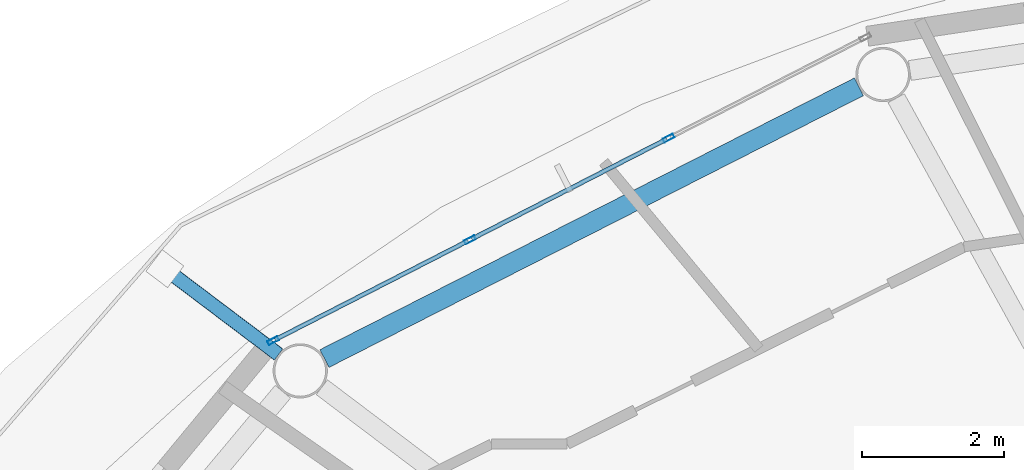
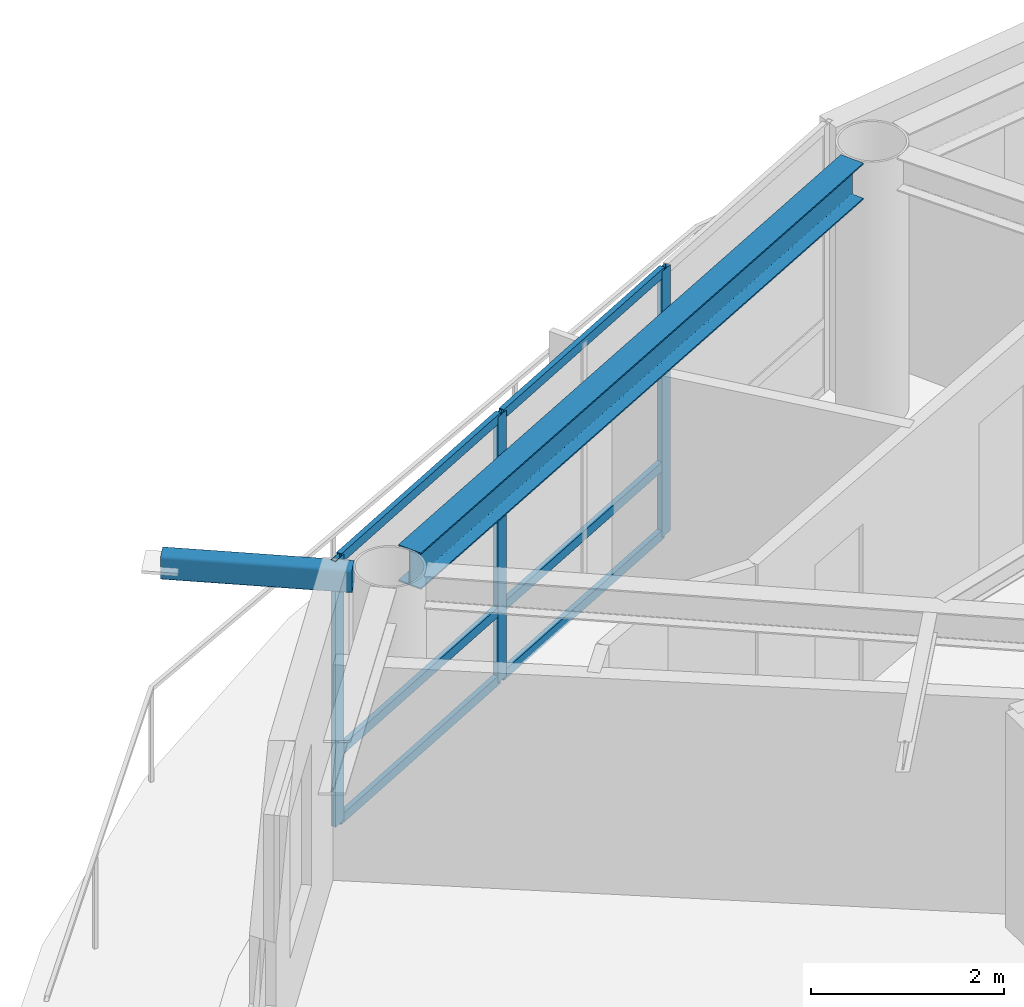
# One storey, part 8 of 23: 10 members, 1 beam, 1 element without a shape of its own.
"""IFC4 building model written with IfcOpenShell, lengths in metres."""

from ifc_helpers import new_model, si_unit, direction, frame, origin, origin_2d, place, context, subcontext, project, spatial, hollow_rectangle, i_section, extrude, material, layer, layer_set, material_profile, profile_set, type_object, element, aggregate, save


model = new_model("IFC4")

# Units and contexts
model_context = context("Model", 3, precision=1e-05, world=origin(), true_north=direction((0.0, 1.0)))
body_context = subcontext(model_context, "Body", "Model", "MODEL_VIEW")
ifc_project = project(units=[si_unit("LENGTHUNIT", "METRE"), si_unit("AREAUNIT", "SQUARE_METRE"), si_unit("VOLUMEUNIT", "CUBIC_METRE"), si_unit("PLANEANGLEUNIT", "RADIAN"), si_unit("MASSUNIT", "GRAM", prefix="KILO")], contexts=[model_context])

# Site, building, storey
site_placement = place(None, origin())
site = spatial("IfcSite", under=ifc_project, at=site_placement, CompositionType="ELEMENT")
building_placement = place(site_placement, origin())
building = spatial("IfcBuilding", under=site, at=building_placement, Name="Sarneth Arch Tower", CompositionType="ELEMENT")
storey_placement = place(building_placement, frame((0.0, 0.0, 273.0)))
storey = spatial("IfcBuildingStorey", under=building, at=storey_placement, Name="L70", CompositionType="ELEMENT", Elevation=273.0)

# Beam
ifc_material_1 = material(Name="Steel S355", Category="steel")
ifc_material_profile_1 = material_profile(ifc_material_1, i_section(OverallWidth=0.280029296875, OverallDepth=0.462890625, WebThickness=0.0107421875, FlangeThickness=0.017333984375, FilletRadius=0.01806640625, at=origin_2d()), Name="W460x113")
ifc_profile_set_1 = profile_set([ifc_material_profile_1], Name="Steel S355")
beam_type = type_object("IfcBeamType", Name="BM-RAD-460A", PredefinedType="BEAM", material=ifc_profile_set_1)
beam_placement = place(storey_placement, frame((37.86962890625, 59.565673828125, 3.138427734375), z_axis=(-0.891373613492, -0.453269325204, 0.0), x_axis=(0.453269325204, -0.891373613492, 0.0)))
element("IfcBeam", 1, at=beam_placement, inside=storey, type_object=beam_type, Name="L70 Perimeter spandrel beam 06", PredefinedType="BEAM", context=body_context, shape_type="SweptSolid", body=[
    extrude(i_section(OverallWidth=0.280029296875, OverallDepth=0.462890625, WebThickness=0.0107421875, FlangeThickness=0.017333984375, FilletRadius=0.01806640625, at=origin_2d()), origin(), (0.0, 0.0, 1.0), 8.419677734375),
])

# Curtain wall, members
ifc_material_2 = material(Name="Anodised aluminium Type AA25 and solar-control low-e laminated IGU", Category="aluminium")
ifc_layer = layer(ifc_material_2, 0.179931640625)
ifc_layer_set = layer_set([ifc_layer], Name="Anodised aluminium Type AA25 and solar-control low-e laminated IGU")
curtain_wall_type = type_object("IfcCurtainWallType", Name="CW-RES-HIGH", PredefinedType="NOTDEFINED", material=ifc_layer_set)
curtain_wall_placement = place(storey_placement, origin())
curtain_wall = element("IfcCurtainWall", 2, at=curtain_wall_placement, inside=storey, type_object=curtain_wall_type, Name="L70 Unitised curtain wall facet 06", PredefinedType="NOTDEFINED")
ifc_material_3 = material(Name="Anodised Aluminium 6063-T6", Category="aluminium")
ifc_material_profile_2 = material_profile(ifc_material_3, hollow_rectangle(XDim=0.06005859375, YDim=0.159912109375, WallThickness=0.00390625, at=origin_2d()), Name="AL-MULL-160x60x4")
ifc_profile_set_2 = profile_set([ifc_material_profile_2], Name="Anodised Aluminium 6063-T6")
member_type_1 = type_object("IfcMemberType", Name="CW-MULLION", PredefinedType="MULLION", material=ifc_profile_set_2)
member_1_placement = place(storey_placement, frame((35.197509765625, 58.844970703125, 0.0), z_axis=(0.0, 0.0, 1.0), x_axis=(0.455941901753, -0.890009540525, 0.0)))
member_1 = element("IfcMember", 3, at=member_1_placement, type_object=member_type_1, Name="CW-SYS-6 mullion 2", PredefinedType="MULLION", context=body_context, shape_type="SweptSolid", body=[
    extrude(hollow_rectangle(XDim=0.06005859375, YDim=0.159912109375, WallThickness=0.00390625, at=origin_2d()), origin(), (0.0, 0.0, 1.0), 3.3701171875),
])
member_2_placement = place(storey_placement, frame((32.407470703125, 57.415771484375, 0.0), z_axis=(0.0, 0.0, 1.0), x_axis=(0.455941901753, -0.890009540525, 0.0)))
member_2 = element("IfcMember", 4, at=member_2_placement, type_object=member_type_1, Name="CW-SYS-6 mullion 3", PredefinedType="MULLION", context=body_context, shape_type="SweptSolid", body=[
    extrude(hollow_rectangle(XDim=0.06005859375, YDim=0.159912109375, WallThickness=0.00390625, at=origin_2d()), origin(), (0.0, 0.0, 1.0), 3.3701171875),
])
member_3_placement = place(storey_placement, frame((29.644287109375, 56.000244140625, 0.0), z_axis=(0.0, 0.0, 1.0), x_axis=(0.455941901753, -0.890009540525, 0.0)))
member_3 = element("IfcMember", 5, at=member_3_placement, type_object=member_type_1, Name="CW-SYS-6 mullion 4", PredefinedType="MULLION", context=body_context, shape_type="SweptSolid", body=[
    extrude(hollow_rectangle(XDim=0.06005859375, YDim=0.159912109375, WallThickness=0.00390625, at=origin_2d()), origin(), (0.0, 0.0, 1.0), 3.3701171875),
])
ifc_material_4 = material(Name="Anodised Aluminium 6063-T6", Category="aluminium")
ifc_material_profile_3 = material_profile(ifc_material_4, hollow_rectangle(XDim=0.06005859375, YDim=0.1201171875, WallThickness=0.00390625, at=origin_2d()), Name="AL-TRAN-120x60x4")
ifc_profile_set_3 = profile_set([ifc_material_profile_3], Name="Anodised Aluminium 6063-T6")
member_type_2 = type_object("IfcMemberType", Name="CW-TRANSOM", PredefinedType="USERDEFINED", material=ifc_profile_set_3)
member_4_placement = place(storey_placement, frame((35.170654296875, 58.831298828125, 0.030029296875), z_axis=(-0.890017432405, -0.455926496286, 0.0), x_axis=(0.455926496286, -0.890017432405, 0.0)))
member_4 = element("IfcMember", 6, at=member_4_placement, type_object=member_type_2, Name="CW-SYS-6 transom 2.1", ObjectType="TRANSOM", PredefinedType="USERDEFINED", context=body_context, shape_type="SweptSolid", body=[
    extrude(hollow_rectangle(XDim=0.06005859375, YDim=0.1201171875, WallThickness=0.00390625, at=origin_2d()), origin(), (0.0, 0.0, 1.0), 3.07470703125),
])
member_5_placement = place(storey_placement, frame((35.170654296875, 58.831298828125, 0.89990234375), z_axis=(-0.890017432405, -0.455926496286, 0.0), x_axis=(0.455926496286, -0.890017432405, 0.0)))
member_5 = element("IfcMember", 7, at=member_5_placement, type_object=member_type_2, Name="CW-SYS-6 transom 2.2", ObjectType="TRANSOM", PredefinedType="USERDEFINED", context=body_context, shape_type="SweptSolid", body=[
    extrude(hollow_rectangle(XDim=0.06005859375, YDim=0.1201171875, WallThickness=0.00390625, at=origin_2d()), origin(), (0.0, 0.0, 1.0), 3.07470703125),
])
member_6_placement = place(storey_placement, frame((35.170654296875, 58.831298828125, 3.340087890625), z_axis=(-0.890017432405, -0.455926496286, 0.0), x_axis=(0.455926496286, -0.890017432405, 0.0)))
member_6 = element("IfcMember", 8, at=member_6_placement, type_object=member_type_2, Name="CW-SYS-6 transom 2.3", ObjectType="TRANSOM", PredefinedType="USERDEFINED", context=body_context, shape_type="SweptSolid", body=[
    extrude(hollow_rectangle(XDim=0.06005859375, YDim=0.1201171875, WallThickness=0.00390625, at=origin_2d()), origin(), (0.0, 0.0, 1.0), 3.07470703125),
])
member_7_placement = place(storey_placement, frame((32.380859375, 57.402099609375, 0.030029296875), z_axis=(-0.890022732705, -0.455916149384, 0.0), x_axis=(0.455916149384, -0.890022732705, 0.0)))
member_7 = element("IfcMember", 9, at=member_7_placement, type_object=member_type_2, Name="CW-SYS-6 transom 3.1", ObjectType="TRANSOM", PredefinedType="USERDEFINED", context=body_context, shape_type="SweptSolid", body=[
    extrude(hollow_rectangle(XDim=0.06005859375, YDim=0.1201171875, WallThickness=0.00390625, at=origin_2d()), origin(), (0.0, 0.0, 1.0), 3.044921875),
])
member_8_placement = place(storey_placement, frame((32.380859375, 57.402099609375, 0.89990234375), z_axis=(-0.890022732705, -0.455916149384, 0.0), x_axis=(0.455916149384, -0.890022732705, 0.0)))
member_8 = element("IfcMember", 10, at=member_8_placement, type_object=member_type_2, Name="CW-SYS-6 transom 3.2", ObjectType="TRANSOM", PredefinedType="USERDEFINED", context=body_context, shape_type="SweptSolid", body=[
    extrude(hollow_rectangle(XDim=0.06005859375, YDim=0.1201171875, WallThickness=0.00390625, at=origin_2d()), origin(), (0.0, 0.0, 1.0), 3.044921875),
])
member_9_placement = place(storey_placement, frame((32.380859375, 57.402099609375, 3.340087890625), z_axis=(-0.890022732705, -0.455916149384, 0.0), x_axis=(0.455916149384, -0.890022732705, 0.0)))
member_9 = element("IfcMember", 11, at=member_9_placement, type_object=member_type_2, Name="CW-SYS-6 transom 3.3", ObjectType="TRANSOM", PredefinedType="USERDEFINED", context=body_context, shape_type="SweptSolid", body=[
    extrude(hollow_rectangle(XDim=0.06005859375, YDim=0.1201171875, WallThickness=0.00390625, at=origin_2d()), origin(), (0.0, 0.0, 1.0), 3.044921875),
])
aggregate(curtain_wall, [member_1, member_2, member_3, member_4, member_5, member_6, member_7, member_8, member_9])

# Member
ifc_material_5 = material(Name="Steel S355", Category="steel")
ifc_material_profile_4 = material_profile(ifc_material_5, hollow_rectangle(XDim=0.199951171875, YDim=0.300048828125, WallThickness=0.012451171875, InnerFilletRadius=0.018798828125, OuterFilletRadius=0.03125, at=origin_2d()), Name="RHS300x200x12.5")
ifc_profile_set_4 = profile_set([ifc_material_profile_4], Name="Steel S355")
member_type_3 = type_object("IfcMemberType", Name="MEM-CANT-STRUT", PredefinedType="STRUT", material=ifc_profile_set_4)
member_10_placement = place(storey_placement, frame((29.720703125, 55.80615234375, 3.2099609375), z_axis=(-0.797989880859, 0.602670847186, 0.0), x_axis=(-0.602670847186, -0.797989880859, 0.0)))
element("IfcMember", 12, at=member_10_placement, inside=storey, type_object=member_type_3, Name="L70 Balcony cantilever bracket 07", PredefinedType="STRUT", context=body_context, shape_type="SweptSolid", body=[
    extrude(hollow_rectangle(XDim=0.199951171875, YDim=0.300048828125, WallThickness=0.012451171875, InnerFilletRadius=0.018798828125, OuterFilletRadius=0.03125, at=origin_2d()), origin(), (0.0, 0.0, 1.0), 2.001220703125),
])

save(model, "model.ifc")
